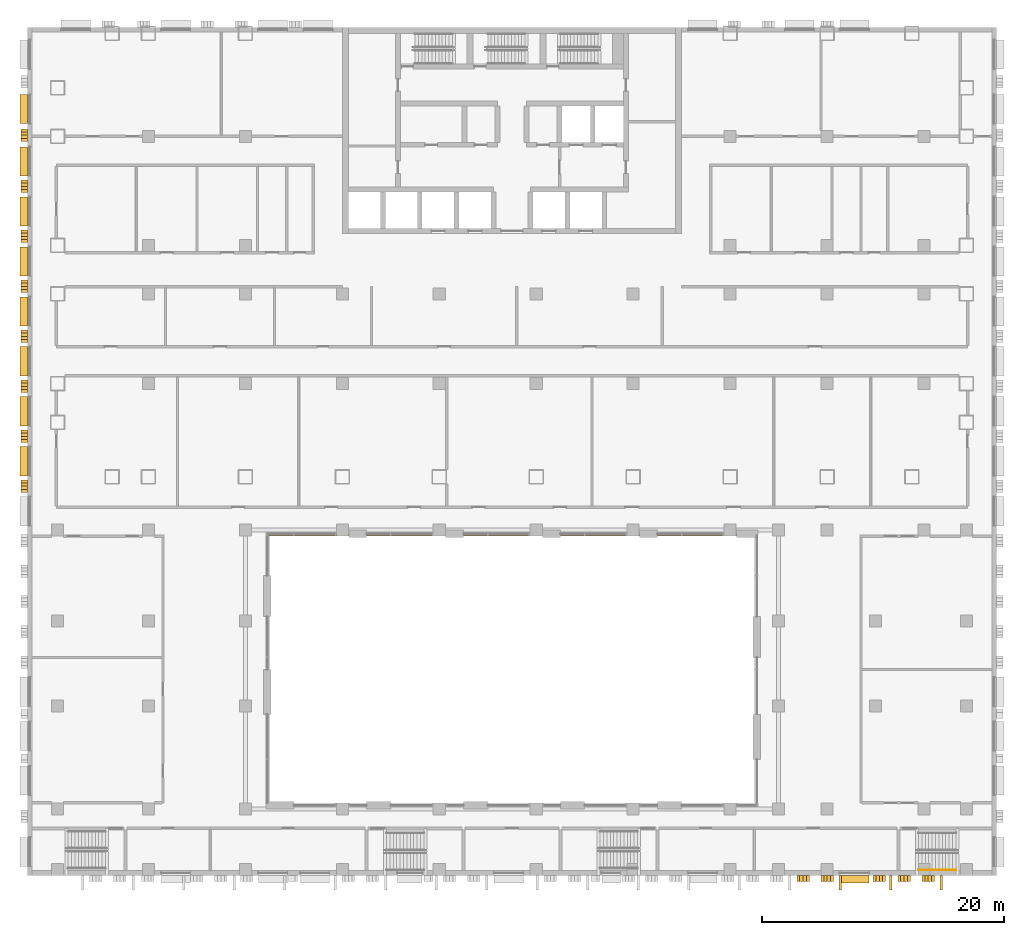
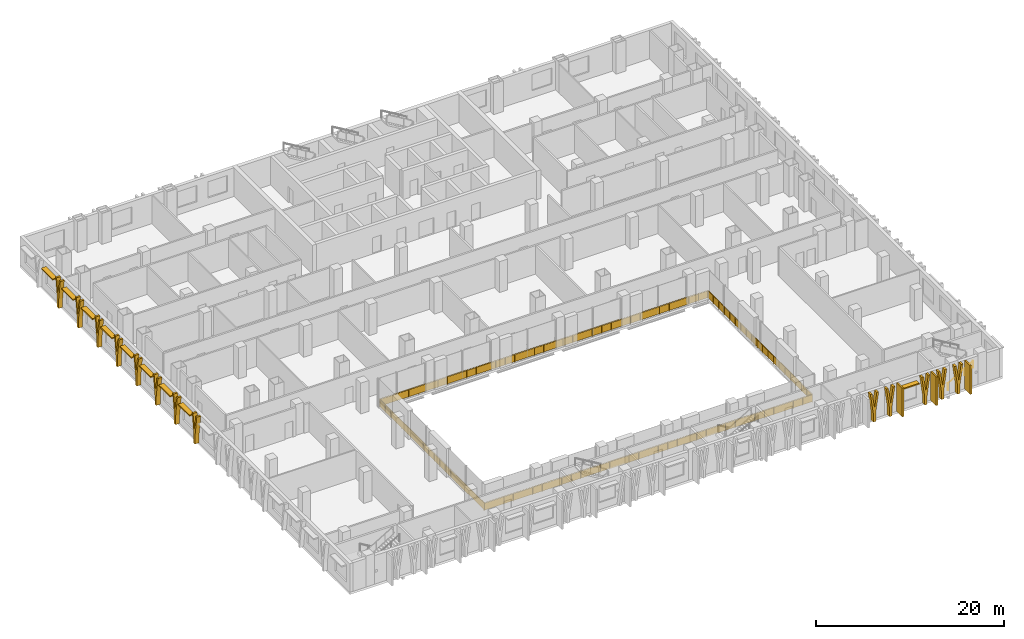
# One storey, part 22 of 26: 25 shading devices, 2 railings.
"""IFC4 building model written with IfcOpenShell, lengths in metres."""

from ifc_helpers import new_model, si_unit, direction, frame, frame_2d, origin, origin_2d, place, context, subcontext, project, spatial, polyline, rectangle, circle, outline, extrude, material, layer, layer_set, type_object, element, save


model = new_model("IFC4")

# Units and contexts
model_context = context("Model", 3, precision=1e-05, world=origin(), true_north=direction((0.0, 1.0)))
body_context = subcontext(model_context, "Body", "Model", "MODEL_VIEW")
ifc_project = project(units=[si_unit("LENGTHUNIT", "METRE"), si_unit("AREAUNIT", "SQUARE_METRE"), si_unit("VOLUMEUNIT", "CUBIC_METRE"), si_unit("PLANEANGLEUNIT", "RADIAN"), si_unit("MASSUNIT", "GRAM", prefix="KILO")], contexts=[model_context])

# Site, building, storey
site_placement = place(None, origin())
site = spatial("IfcSite", under=ifc_project, at=site_placement, CompositionType="ELEMENT")
building_placement = place(site_placement, origin())
building = spatial("IfcBuilding", under=site, at=building_placement, Name="Vidyagriha Tower", CompositionType="ELEMENT")
storey_placement = place(building_placement, frame((0.0, 0.0, 6.0)))
storey = spatial("IfcBuildingStorey", under=building, at=storey_placement, Name="L01", CompositionType="ELEMENT", Elevation=6.0)

# Railing
ifc_material_1 = material(Name="Powder coated ASTM A500 Grade C steel balustrade", Category="steel")
railing_type_1 = type_object("IfcRailingType", Name="Atrium Gallery Guard 1100", PredefinedType="GUARDRAIL", material=ifc_material_1)
railing_1_placement = place(storey_placement, frame((-20.10009765625, -44.0, 0.0)))
element("IfcRailing", 1, at=railing_1_placement, inside=storey, type_object=railing_type_1, Name="L01 atrium gallery guard", PredefinedType="GUARDRAIL", context=body_context, shape_type="SweptSolid", body=[
    extrude(circle(Radius=0.02392578125, at=origin_2d()), frame((0.0, 0.0, 1.076171875), z_axis=(0.0, -1.0, 0.0), x_axis=(1.0, 0.0, 0.0)), (0.0, 0.0, 1.0), 0.10009765625),
    extrude(circle(Radius=0.02392578125, at=origin_2d()), frame((0.0, -0.10009765625, 1.076171875), z_axis=(1.0, 0.0, 0.0), x_axis=(0.0, 1.0, 0.0)), (0.0, 0.0, 1.0), 40.2001953125),
    extrude(circle(Radius=0.02392578125, at=origin_2d()), frame((40.2001953125, -0.10009765625, 1.076171875), z_axis=(0.0, 1.0, 0.0), x_axis=(-1.0, 0.0, 0.0)), (0.0, 0.0, 1.0), 22.2001953125),
    extrude(circle(Radius=0.02392578125, at=origin_2d()), frame((40.2001953125, 22.10009765625, 1.076171875), z_axis=(-1.0, 0.0, 0.0), x_axis=(0.0, -1.0, 0.0)), (0.0, 0.0, 1.0), 40.2001953125),
    extrude(circle(Radius=0.02392578125, at=origin_2d()), frame((0.0, 22.10009765625, 1.076171875), z_axis=(0.0, -1.0, 0.0), x_axis=(1.0, 0.0, 0.0)), (0.0, 0.0, 1.0), 22.0),
    extrude(circle(Radius=0.02099609375, at=origin_2d()), origin(), (0.0, 0.0, 1.0), 1.052001953125),
    extrude(circle(Radius=0.02099609375, at=origin_2d()), frame((0.0, -0.10009765625, 0.0)), (0.0, 0.0, 1.0), 1.052001953125),
    extrude(circle(Radius=0.02099609375, at=origin_2d()), frame((1.182373046875, -0.10009765625, 0.0)), (0.0, 0.0, 1.0), 1.052001953125),
    extrude(circle(Radius=0.02099609375, at=origin_2d()), frame((2.36474609375, -0.10009765625, 0.0)), (0.0, 0.0, 1.0), 1.052001953125),
    extrude(circle(Radius=0.02099609375, at=origin_2d()), frame((3.547119140625, -0.10009765625, 0.0)), (0.0, 0.0, 1.0), 1.052001953125),
    extrude(circle(Radius=0.02099609375, at=origin_2d()), frame((4.7294921875, -0.10009765625, 0.0)), (0.0, 0.0, 1.0), 1.052001953125),
    extrude(circle(Radius=0.02099609375, at=origin_2d()), frame((5.911865234375, -0.10009765625, 0.0)), (0.0, 0.0, 1.0), 1.052001953125),
    extrude(circle(Radius=0.02099609375, at=origin_2d()), frame((7.09423828125, -0.10009765625, 0.0)), (0.0, 0.0, 1.0), 1.052001953125),
    extrude(circle(Radius=0.02099609375, at=origin_2d()), frame((8.276611328125, -0.10009765625, 0.0)), (0.0, 0.0, 1.0), 1.052001953125),
    extrude(circle(Radius=0.02099609375, at=origin_2d()), frame((9.458984375, -0.10009765625, 0.0)), (0.0, 0.0, 1.0), 1.052001953125),
    extrude(circle(Radius=0.02099609375, at=origin_2d()), frame((10.64111328125, -0.10009765625, 0.0)), (0.0, 0.0, 1.0), 1.052001953125),
    extrude(circle(Radius=0.02099609375, at=origin_2d()), frame((11.823486328125, -0.10009765625, 0.0)), (0.0, 0.0, 1.0), 1.052001953125),
    extrude(circle(Radius=0.02099609375, at=origin_2d()), frame((13.005859375, -0.10009765625, 0.0)), (0.0, 0.0, 1.0), 1.052001953125),
    extrude(circle(Radius=0.02099609375, at=origin_2d()), frame((14.188232421875, -0.10009765625, 0.0)), (0.0, 0.0, 1.0), 1.052001953125),
    extrude(circle(Radius=0.02099609375, at=origin_2d()), frame((15.37060546875, -0.10009765625, 0.0)), (0.0, 0.0, 1.0), 1.052001953125),
    extrude(circle(Radius=0.02099609375, at=origin_2d()), frame((16.552978515625, -0.10009765625, 0.0)), (0.0, 0.0, 1.0), 1.052001953125),
    extrude(circle(Radius=0.02099609375, at=origin_2d()), frame((17.7353515625, -0.10009765625, 0.0)), (0.0, 0.0, 1.0), 1.052001953125),
    extrude(circle(Radius=0.02099609375, at=origin_2d()), frame((18.917724609375, -0.10009765625, 0.0)), (0.0, 0.0, 1.0), 1.052001953125),
    extrude(circle(Radius=0.02099609375, at=origin_2d()), frame((20.10009765625, -0.10009765625, 0.0)), (0.0, 0.0, 1.0), 1.052001953125),
    extrude(circle(Radius=0.02099609375, at=origin_2d()), frame((21.282470703125, -0.10009765625, 0.0)), (0.0, 0.0, 1.0), 1.052001953125),
    extrude(circle(Radius=0.02099609375, at=origin_2d()), frame((22.46484375, -0.10009765625, 0.0)), (0.0, 0.0, 1.0), 1.052001953125),
    extrude(circle(Radius=0.02099609375, at=origin_2d()), frame((23.647216796875, -0.10009765625, 0.0)), (0.0, 0.0, 1.0), 1.052001953125),
    extrude(circle(Radius=0.02099609375, at=origin_2d()), frame((24.82958984375, -0.10009765625, 0.0)), (0.0, 0.0, 1.0), 1.052001953125),
    extrude(circle(Radius=0.02099609375, at=origin_2d()), frame((26.011962890625, -0.10009765625, 0.0)), (0.0, 0.0, 1.0), 1.052001953125),
    extrude(circle(Radius=0.02099609375, at=origin_2d()), frame((27.1943359375, -0.10009765625, 0.0)), (0.0, 0.0, 1.0), 1.052001953125),
    extrude(circle(Radius=0.02099609375, at=origin_2d()), frame((28.376708984375, -0.10009765625, 0.0)), (0.0, 0.0, 1.0), 1.052001953125),
    extrude(circle(Radius=0.02099609375, at=origin_2d()), frame((29.55908203125, -0.10009765625, 0.0)), (0.0, 0.0, 1.0), 1.052001953125),
    extrude(circle(Radius=0.02099609375, at=origin_2d()), frame((30.7412109375, -0.10009765625, 0.0)), (0.0, 0.0, 1.0), 1.052001953125),
    extrude(circle(Radius=0.02099609375, at=origin_2d()), frame((31.923583984375, -0.10009765625, 0.0)), (0.0, 0.0, 1.0), 1.052001953125),
    extrude(circle(Radius=0.02099609375, at=origin_2d()), frame((33.10595703125, -0.10009765625, 0.0)), (0.0, 0.0, 1.0), 1.052001953125),
    extrude(circle(Radius=0.02099609375, at=origin_2d()), frame((34.288330078125, -0.10009765625, 0.0)), (0.0, 0.0, 1.0), 1.052001953125),
    extrude(circle(Radius=0.02099609375, at=origin_2d()), frame((35.470703125, -0.10009765625, 0.0)), (0.0, 0.0, 1.0), 1.052001953125),
    extrude(circle(Radius=0.02099609375, at=origin_2d()), frame((36.653076171875, -0.10009765625, 0.0)), (0.0, 0.0, 1.0), 1.052001953125),
    extrude(circle(Radius=0.02099609375, at=origin_2d()), frame((37.83544921875, -0.10009765625, 0.0)), (0.0, 0.0, 1.0), 1.052001953125),
    extrude(circle(Radius=0.02099609375, at=origin_2d()), frame((39.017822265625, -0.10009765625, 0.0)), (0.0, 0.0, 1.0), 1.052001953125),
    extrude(circle(Radius=0.02099609375, at=origin_2d()), frame((40.2001953125, -0.10009765625, 0.0)), (0.0, 0.0, 1.0), 1.052001953125),
    extrude(circle(Radius=0.02099609375, at=origin_2d()), frame((40.2001953125, 1.068359375, 0.0)), (0.0, 0.0, 1.0), 1.052001953125),
    extrude(circle(Radius=0.02099609375, at=origin_2d()), frame((40.2001953125, 2.23681640625, 0.0)), (0.0, 0.0, 1.0), 1.052001953125),
    extrude(circle(Radius=0.02099609375, at=origin_2d()), frame((40.2001953125, 3.4052734375, 0.0)), (0.0, 0.0, 1.0), 1.052001953125),
    extrude(circle(Radius=0.02099609375, at=origin_2d()), frame((40.2001953125, 4.57373046875, 0.0)), (0.0, 0.0, 1.0), 1.052001953125),
    extrude(circle(Radius=0.02099609375, at=origin_2d()), frame((40.2001953125, 5.741943359375, 0.0)), (0.0, 0.0, 1.0), 1.052001953125),
    extrude(circle(Radius=0.02099609375, at=origin_2d()), frame((40.2001953125, 6.910400390625, 0.0)), (0.0, 0.0, 1.0), 1.052001953125),
    extrude(circle(Radius=0.02099609375, at=origin_2d()), frame((40.2001953125, 8.078857421875, 0.0)), (0.0, 0.0, 1.0), 1.052001953125),
    extrude(circle(Radius=0.02099609375, at=origin_2d()), frame((40.2001953125, 9.247314453125, 0.0)), (0.0, 0.0, 1.0), 1.052001953125),
    extrude(circle(Radius=0.02099609375, at=origin_2d()), frame((40.2001953125, 10.415771484375, 0.0)), (0.0, 0.0, 1.0), 1.052001953125),
    extrude(circle(Radius=0.02099609375, at=origin_2d()), frame((40.2001953125, 11.584228515625, 0.0)), (0.0, 0.0, 1.0), 1.052001953125),
    extrude(circle(Radius=0.02099609375, at=origin_2d()), frame((40.2001953125, 12.752685546875, 0.0)), (0.0, 0.0, 1.0), 1.052001953125),
    extrude(circle(Radius=0.02099609375, at=origin_2d()), frame((40.2001953125, 13.921142578125, 0.0)), (0.0, 0.0, 1.0), 1.052001953125),
    extrude(circle(Radius=0.02099609375, at=origin_2d()), frame((40.2001953125, 15.089599609375, 0.0)), (0.0, 0.0, 1.0), 1.052001953125),
    extrude(circle(Radius=0.02099609375, at=origin_2d()), frame((40.2001953125, 16.258056640625, 0.0)), (0.0, 0.0, 1.0), 1.052001953125),
    extrude(circle(Radius=0.02099609375, at=origin_2d()), frame((40.2001953125, 17.42626953125, 0.0)), (0.0, 0.0, 1.0), 1.052001953125),
    extrude(circle(Radius=0.02099609375, at=origin_2d()), frame((40.2001953125, 18.5947265625, 0.0)), (0.0, 0.0, 1.0), 1.052001953125),
    extrude(circle(Radius=0.02099609375, at=origin_2d()), frame((40.2001953125, 19.76318359375, 0.0)), (0.0, 0.0, 1.0), 1.052001953125),
    extrude(circle(Radius=0.02099609375, at=origin_2d()), frame((40.2001953125, 20.931640625, 0.0)), (0.0, 0.0, 1.0), 1.052001953125),
    extrude(circle(Radius=0.02099609375, at=origin_2d()), frame((40.2001953125, 22.10009765625, 0.0)), (0.0, 0.0, 1.0), 1.052001953125),
    extrude(circle(Radius=0.02099609375, at=origin_2d()), frame((39.017822265625, 22.10009765625, 0.0)), (0.0, 0.0, 1.0), 1.052001953125),
    extrude(circle(Radius=0.02099609375, at=origin_2d()), frame((37.83544921875, 22.10009765625, 0.0)), (0.0, 0.0, 1.0), 1.052001953125),
    extrude(circle(Radius=0.02099609375, at=origin_2d()), frame((36.653076171875, 22.10009765625, 0.0)), (0.0, 0.0, 1.0), 1.052001953125),
    extrude(circle(Radius=0.02099609375, at=origin_2d()), frame((35.470703125, 22.10009765625, 0.0)), (0.0, 0.0, 1.0), 1.052001953125),
    extrude(circle(Radius=0.02099609375, at=origin_2d()), frame((34.288330078125, 22.10009765625, 0.0)), (0.0, 0.0, 1.0), 1.052001953125),
    extrude(circle(Radius=0.02099609375, at=origin_2d()), frame((33.10595703125, 22.10009765625, 0.0)), (0.0, 0.0, 1.0), 1.052001953125),
    extrude(circle(Radius=0.02099609375, at=origin_2d()), frame((31.923583984375, 22.10009765625, 0.0)), (0.0, 0.0, 1.0), 1.052001953125),
    extrude(circle(Radius=0.02099609375, at=origin_2d()), frame((30.7412109375, 22.10009765625, 0.0)), (0.0, 0.0, 1.0), 1.052001953125),
    extrude(circle(Radius=0.02099609375, at=origin_2d()), frame((29.55908203125, 22.10009765625, 0.0)), (0.0, 0.0, 1.0), 1.052001953125),
    extrude(circle(Radius=0.02099609375, at=origin_2d()), frame((28.376708984375, 22.10009765625, 0.0)), (0.0, 0.0, 1.0), 1.052001953125),
    extrude(circle(Radius=0.02099609375, at=origin_2d()), frame((27.1943359375, 22.10009765625, 0.0)), (0.0, 0.0, 1.0), 1.052001953125),
    extrude(circle(Radius=0.02099609375, at=origin_2d()), frame((26.011962890625, 22.10009765625, 0.0)), (0.0, 0.0, 1.0), 1.052001953125),
    extrude(circle(Radius=0.02099609375, at=origin_2d()), frame((24.82958984375, 22.10009765625, 0.0)), (0.0, 0.0, 1.0), 1.052001953125),
    extrude(circle(Radius=0.02099609375, at=origin_2d()), frame((23.647216796875, 22.10009765625, 0.0)), (0.0, 0.0, 1.0), 1.052001953125),
    extrude(circle(Radius=0.02099609375, at=origin_2d()), frame((22.46484375, 22.10009765625, 0.0)), (0.0, 0.0, 1.0), 1.052001953125),
    extrude(circle(Radius=0.02099609375, at=origin_2d()), frame((21.282470703125, 22.10009765625, 0.0)), (0.0, 0.0, 1.0), 1.052001953125),
    extrude(circle(Radius=0.02099609375, at=origin_2d()), frame((20.10009765625, 22.10009765625, 0.0)), (0.0, 0.0, 1.0), 1.052001953125),
    extrude(circle(Radius=0.02099609375, at=origin_2d()), frame((18.917724609375, 22.10009765625, 0.0)), (0.0, 0.0, 1.0), 1.052001953125),
    extrude(circle(Radius=0.02099609375, at=origin_2d()), frame((17.7353515625, 22.10009765625, 0.0)), (0.0, 0.0, 1.0), 1.052001953125),
    extrude(circle(Radius=0.02099609375, at=origin_2d()), frame((16.552978515625, 22.10009765625, 0.0)), (0.0, 0.0, 1.0), 1.052001953125),
    extrude(circle(Radius=0.02099609375, at=origin_2d()), frame((15.37060546875, 22.10009765625, 0.0)), (0.0, 0.0, 1.0), 1.052001953125),
    extrude(circle(Radius=0.02099609375, at=origin_2d()), frame((14.188232421875, 22.10009765625, 0.0)), (0.0, 0.0, 1.0), 1.052001953125),
    extrude(circle(Radius=0.02099609375, at=origin_2d()), frame((13.005859375, 22.10009765625, 0.0)), (0.0, 0.0, 1.0), 1.052001953125),
    extrude(circle(Radius=0.02099609375, at=origin_2d()), frame((11.823486328125, 22.10009765625, 0.0)), (0.0, 0.0, 1.0), 1.052001953125),
    extrude(circle(Radius=0.02099609375, at=origin_2d()), frame((10.64111328125, 22.10009765625, 0.0)), (0.0, 0.0, 1.0), 1.052001953125),
    extrude(circle(Radius=0.02099609375, at=origin_2d()), frame((9.458984375, 22.10009765625, 0.0)), (0.0, 0.0, 1.0), 1.052001953125),
    extrude(circle(Radius=0.02099609375, at=origin_2d()), frame((8.276611328125, 22.10009765625, 0.0)), (0.0, 0.0, 1.0), 1.052001953125),
    extrude(circle(Radius=0.02099609375, at=origin_2d()), frame((7.09423828125, 22.10009765625, 0.0)), (0.0, 0.0, 1.0), 1.052001953125),
    extrude(circle(Radius=0.02099609375, at=origin_2d()), frame((5.911865234375, 22.10009765625, 0.0)), (0.0, 0.0, 1.0), 1.052001953125),
    extrude(circle(Radius=0.02099609375, at=origin_2d()), frame((4.7294921875, 22.10009765625, 0.0)), (0.0, 0.0, 1.0), 1.052001953125),
    extrude(circle(Radius=0.02099609375, at=origin_2d()), frame((3.547119140625, 22.10009765625, 0.0)), (0.0, 0.0, 1.0), 1.052001953125),
    extrude(circle(Radius=0.02099609375, at=origin_2d()), frame((2.36474609375, 22.10009765625, 0.0)), (0.0, 0.0, 1.0), 1.052001953125),
    extrude(circle(Radius=0.02099609375, at=origin_2d()), frame((1.182373046875, 22.10009765625, 0.0)), (0.0, 0.0, 1.0), 1.052001953125),
    extrude(circle(Radius=0.02099609375, at=origin_2d()), frame((0.0, 22.10009765625, 0.0)), (0.0, 0.0, 1.0), 1.052001953125),
    extrude(circle(Radius=0.02099609375, at=origin_2d()), frame((0.0, 20.942138671875, 0.0)), (0.0, 0.0, 1.0), 1.052001953125),
    extrude(circle(Radius=0.02099609375, at=origin_2d()), frame((0.0, 19.784423828125, 0.0)), (0.0, 0.0, 1.0), 1.052001953125),
    extrude(circle(Radius=0.02099609375, at=origin_2d()), frame((0.0, 18.62646484375, 0.0)), (0.0, 0.0, 1.0), 1.052001953125),
    extrude(circle(Radius=0.02099609375, at=origin_2d()), frame((0.0, 17.468505859375, 0.0)), (0.0, 0.0, 1.0), 1.052001953125),
    extrude(circle(Radius=0.02099609375, at=origin_2d()), frame((0.0, 16.310546875, 0.0)), (0.0, 0.0, 1.0), 1.052001953125),
    extrude(circle(Radius=0.02099609375, at=origin_2d()), frame((0.0, 15.15283203125, 0.0)), (0.0, 0.0, 1.0), 1.052001953125),
    extrude(circle(Radius=0.02099609375, at=origin_2d()), frame((0.0, 13.994873046875, 0.0)), (0.0, 0.0, 1.0), 1.052001953125),
    extrude(circle(Radius=0.02099609375, at=origin_2d()), frame((0.0, 12.8369140625, 0.0)), (0.0, 0.0, 1.0), 1.052001953125),
    extrude(circle(Radius=0.02099609375, at=origin_2d()), frame((0.0, 11.678955078125, 0.0)), (0.0, 0.0, 1.0), 1.052001953125),
    extrude(circle(Radius=0.02099609375, at=origin_2d()), frame((0.0, 10.521240234375, 0.0)), (0.0, 0.0, 1.0), 1.052001953125),
    extrude(circle(Radius=0.02099609375, at=origin_2d()), frame((0.0, 9.36328125, 0.0)), (0.0, 0.0, 1.0), 1.052001953125),
    extrude(circle(Radius=0.02099609375, at=origin_2d()), frame((0.0, 8.205322265625, 0.0)), (0.0, 0.0, 1.0), 1.052001953125),
    extrude(circle(Radius=0.02099609375, at=origin_2d()), frame((0.0, 7.04736328125, 0.0)), (0.0, 0.0, 1.0), 1.052001953125),
    extrude(circle(Radius=0.02099609375, at=origin_2d()), frame((0.0, 5.8896484375, 0.0)), (0.0, 0.0, 1.0), 1.052001953125),
    extrude(circle(Radius=0.02099609375, at=origin_2d()), frame((0.0, 4.731689453125, 0.0)), (0.0, 0.0, 1.0), 1.052001953125),
    extrude(circle(Radius=0.02099609375, at=origin_2d()), frame((0.0, 3.57373046875, 0.0)), (0.0, 0.0, 1.0), 1.052001953125),
    extrude(circle(Radius=0.02099609375, at=origin_2d()), frame((0.0, 2.415771484375, 0.0)), (0.0, 0.0, 1.0), 1.052001953125),
    extrude(circle(Radius=0.02099609375, at=origin_2d()), frame((0.0, 1.258056640625, 0.0)), (0.0, 0.0, 1.0), 1.052001953125),
    extrude(circle(Radius=0.02099609375, at=origin_2d()), frame((0.0, 0.10009765625, 0.0)), (0.0, 0.0, 1.0), 1.052001953125),
    extrude(rectangle(XDim=0.010009765625, YDim=0.902099609375, at=origin_2d()), frame((0.0, 0.0, 0.551025390625), z_axis=(0.0, -1.0, 0.0), x_axis=(1.0, 0.0, 0.0)), (0.0, 0.0, 1.0), 0.10009765625),
    extrude(rectangle(XDim=0.010009765625, YDim=0.902099609375, at=origin_2d()), frame((0.0, -0.10009765625, 0.551025390625), z_axis=(1.0, 0.0, 0.0), x_axis=(0.0, 1.0, 0.0)), (0.0, 0.0, 1.0), 40.2001953125),
    extrude(rectangle(XDim=0.010009765625, YDim=0.902099609375, at=origin_2d()), frame((40.2001953125, -0.10009765625, 0.551025390625), z_axis=(0.0, 1.0, 0.0), x_axis=(-1.0, 0.0, 0.0)), (0.0, 0.0, 1.0), 22.2001953125),
    extrude(rectangle(XDim=0.010009765625, YDim=0.902099609375, at=origin_2d()), frame((40.2001953125, 22.10009765625, 0.551025390625), z_axis=(-1.0, 0.0, 0.0), x_axis=(0.0, -1.0, 0.0)), (0.0, 0.0, 1.0), 40.2001953125),
    extrude(rectangle(XDim=0.010009765625, YDim=0.902099609375, at=origin_2d()), frame((0.0, 22.10009765625, 0.551025390625), z_axis=(0.0, -1.0, 0.0), x_axis=(1.0, 0.0, 0.0)), (0.0, 0.0, 1.0), 22.0),
])

# Shading devices
ifc_material_2 = material(Name="Precast concrete C40/50 with brick facing", Category="concrete")
ifc_layer_1 = layer(ifc_material_2, 0.14990234375)
ifc_layer_set_1 = layer_set([ifc_layer_1], Name="Precast concrete C40/50 with brick facing")
shading_device_type_1 = type_object("IfcShadingDeviceType", Name="Brick chhajja window hood", PredefinedType="AWNING", material=ifc_layer_set_1)
for number, where, z_axis, x_axis, name in (
    (2, (-40.300048828125, 13.25, 3.0), (0.0, 0.0, 1.0), (0.0, -1.0, 0.0), "Window hood L01 R05.2"),
    (3, (-40.300048828125, 8.9375, 3.0), (0.0, 0.0, 1.0), (0.0, -1.0, 0.0), "Window hood L01 R05.3"),
    (4, (-40.300048828125, 4.8125, 3.0), (0.0, 0.0, 1.0), (0.0, -1.0, 0.0), "Window hood L01 R05.4"),
    (5, (-40.300048828125, 0.6875, 3.0), (0.0, 0.0, 1.0), (0.0, -1.0, 0.0), "Window hood L01 R05.5"),
    (6, (-40.300048828125, -3.4375, 3.0), (0.0, 0.0, 1.0), (0.0, -1.0, 0.0), "Window hood L01 R05.6"),
    (7, (-40.300048828125, -7.5625, 3.0), (0.0, 0.0, 1.0), (0.0, -1.0, 0.0), "Window hood L01 R05.7"),
    (8, (-40.300048828125, -11.6875, 3.0), (0.0, 0.0, 1.0), (0.0, -1.0, 0.0), "Window hood L01 R05.8"),
    (9, (-40.300048828125, -15.8125, 3.0), (0.0, 0.0, 1.0), (0.0, -1.0, 0.0), "Window hood L01 R05.9"),
):
    element("IfcShadingDevice", number, at=place(storey_placement, frame(where, z_axis=z_axis, x_axis=x_axis)), inside=storey, type_object=shading_device_type_1, Name=name, PredefinedType="AWNING", context=body_context, shape_type="SweptSolid", body=[
        extrude(rectangle(XDim=2.39990234375, YDim=0.60009765625, at=origin_2d()), origin(), (0.0, 0.0, 1.0), 0.14990234375),
    ])
shading_device_placement = place(storey_placement, frame((28.264892578125, -50.300048828125, 3.0)))
element("IfcShadingDevice", 10, at=shading_device_placement, inside=storey, type_object=shading_device_type_1, Name="Window hood L01 R06.35", PredefinedType="AWNING", context=body_context, shape_type="SweptSolid", body=[
    extrude(rectangle(XDim=2.39990234375, YDim=0.60009765625, at=origin_2d()), origin(), (0.0, 0.0, 1.0), 0.14990234375),
])
ifc_material_3 = material(Name="Precast concrete C40/50 with buff brick facing", Category="concrete")
ifc_layer_2 = layer(ifc_material_3, 0.300048828125)
ifc_layer_set_2 = layer_set([ifc_layer_2], Name="Precast concrete C40/50 with buff brick facing")
shading_device_type_2 = type_object("IfcShadingDeviceType", Name="Brick-faced podium blade forking 8 degrees", PredefinedType="USERDEFINED", material=ifc_layer_set_2)
for number, where, z_axis, x_axis, name in (
    (11, (-40.25, 11.609130859375, 0.0), (0.0, 0.0, 1.0), (0.0, -1.0, 0.0), "Podium blade L01 R05.891"),
    (12, (-40.25, 7.390380859375, 0.0), (0.0, 0.0, 1.0), (0.0, -1.0, 0.0), "Podium blade L01 R05.1312"),
    (13, (-40.25, 3.265380859375, 0.0), (0.0, 0.0, 1.0), (0.0, -1.0, 0.0), "Podium blade L01 R05.1725"),
    (14, (-40.25, -0.859619140625, 0.0), (0.0, 0.0, 1.0), (0.0, -1.0, 0.0), "Podium blade L01 R05.2138"),
    (15, (-40.25, -4.984619140625, 0.0), (0.0, 0.0, 1.0), (0.0, -1.0, 0.0), "Podium blade L01 R05.2550"),
    (16, (-40.25, -9.109619140625, 0.0), (0.0, 0.0, 1.0), (0.0, -1.0, 0.0), "Podium blade L01 R05.2962"),
    (17, (-40.25, -13.234619140625, 0.0), (0.0, 0.0, 1.0), (0.0, -1.0, 0.0), "Podium blade L01 R05.3375"),
    (18, (-40.25, -17.359619140625, 0.0), (0.0, 0.0, 1.0), (0.0, -1.0, 0.0), "Podium blade L01 R05.3788"),
):
    element("IfcShadingDevice", number, at=place(storey_placement, frame(where, z_axis=z_axis, x_axis=x_axis)), inside=storey, type_object=shading_device_type_2, Name=name, ObjectType="BLADE FIN", PredefinedType="USERDEFINED", context=body_context, shape_type="SweptSolid", body=[
        extrude(outline(polyline([(0.665283203125, 0.0), (0.665283203125, 1.10009765625), (1.03076171875, 3.699951171875), (0.790771484375, 3.699951171875), (0.515380859375, 1.740478515625), (0.239990234375, 3.699951171875), (0.0, 3.699951171875), (0.365478515625, 1.10009765625), (0.365478515625, 0.0), (0.665283203125, 0.0)])), frame((0.0, 0.25, 0.0), z_axis=(0.0, -1.0, 0.0), x_axis=(1.0, 0.0, 0.0)), (0.0, 0.0, 1.0), 0.5),
    ])
for number, where, name in (
    (19, (23.5029296875, -50.25, 0.0), "Podium blade L01 R06.6362"),
    (20, (25.4873046875, -50.25, 0.0), "Podium blade L01 R06.6560"),
    (21, (29.798583984375, -50.25, 0.0), "Podium blade L01 R06.6991"),
    (22, (31.83984375, -50.25, 0.0), "Podium blade L01 R06.7196"),
    (23, (33.82421875, -50.25, 0.0), "Podium blade L01 R06.7394"),
):
    element("IfcShadingDevice", number, at=place(storey_placement, frame(where)), inside=storey, type_object=shading_device_type_2, Name=name, ObjectType="BLADE FIN", PredefinedType="USERDEFINED", context=body_context, shape_type="SweptSolid", body=[
        extrude(outline(polyline([(0.665283203125, 0.0), (0.665283203125, 1.10009765625), (1.03076171875, 3.699951171875), (0.790771484375, 3.699951171875), (0.515380859375, 1.740478515625), (0.239990234375, 3.699951171875), (0.0, 3.699951171875), (0.365478515625, 1.10009765625), (0.365478515625, 0.0), (0.665283203125, 0.0)])), frame((0.0, 0.25, 0.0), z_axis=(0.0, -1.0, 0.0), x_axis=(1.0, 0.0, 0.0)), (0.0, 0.0, 1.0), 0.5),
    ])
ifc_material_4 = material(Name="Precast concrete C40/50 with brick facing", Category="concrete")
ifc_layer_3 = layer(ifc_material_4, 0.199951171875)
ifc_layer_set_3 = layer_set([ifc_layer_3], Name="Precast concrete C40/50 with brick facing")
shading_device_type_3 = type_object("IfcShadingDeviceType", Name="Brick-faced solar fin 1200", PredefinedType="USERDEFINED", material=ifc_layer_set_3)
for number, where, z_axis, x_axis, name in (
    (24, (27.0947265625, -50.0, 0.0), (0.0, 0.0, 1.0), (0.0, -1.0, 0.0), "Solar fin L01 R06.16"),
    (25, (31.26318359375, -50.0, 0.0), (0.0, 0.0, 1.0), (0.0, -1.0, 0.0), "Solar fin L01 R06.17"),
    (26, (35.431640625, -50.0, 0.0), (0.0, 0.0, 1.0), (0.0, -1.0, 0.0), "Solar fin L01 R06.18"),
):
    element("IfcShadingDevice", number, at=place(storey_placement, frame(where, z_axis=z_axis, x_axis=x_axis)), inside=storey, type_object=shading_device_type_3, Name=name, ObjectType="SOLAR FIN", PredefinedType="USERDEFINED", context=body_context, shape_type="SweptSolid", body=[
        extrude(rectangle(XDim=1.199951171875, YDim=0.199951171875, at=frame_2d((0.60009765625, 0.0))), origin(), (0.0, 0.0, 1.0), 3.699951171875),
    ])

# Railing
ifc_material_5 = material(Name="Powder coated ASTM A500 Grade C steel handrail", Category="steel")
railing_type_2 = type_object("IfcRailingType", Name="Podium Stair Handrail 900", PredefinedType="HANDRAIL", material=ifc_material_5)
railing_2_placement = place(storey_placement, frame((33.544921875, -49.550048828125, 0.166748046875)))
element("IfcRailing", 27, at=railing_2_placement, inside=storey, type_object=railing_type_2, Name="L01 PS2 stair handrail 1", PredefinedType="HANDRAIL", context=body_context, shape_type="SweptSolid", body=[
    extrude(circle(Radius=0.02392578125, at=origin_2d()), frame((0.0, 0.0, 0.8759765625), z_axis=(0.859308565015, 0.0, 0.511457515432), x_axis=(0.0, 1.0, 0.0)), (0.0, 0.0, 1.0), 3.58447265625),
    extrude(circle(Radius=0.02099609375, at=origin_2d()), origin(), (0.0, 0.0, 1.0), 0.851806640625),
    extrude(circle(Radius=0.02099609375, at=origin_2d()), frame((1.026611328125, 0.0, 0.611083984375)), (0.0, 0.0, 1.0), 0.851806640625),
    extrude(circle(Radius=0.02099609375, at=origin_2d()), frame((2.053466796875, 0.0, 1.22216796875)), (0.0, 0.0, 1.0), 0.851806640625),
    extrude(circle(Radius=0.02099609375, at=origin_2d()), frame((3.080078125, 0.0, 1.833251953125)), (0.0, 0.0, 1.0), 0.851806640625),
])

save(model, "model.ifc")
